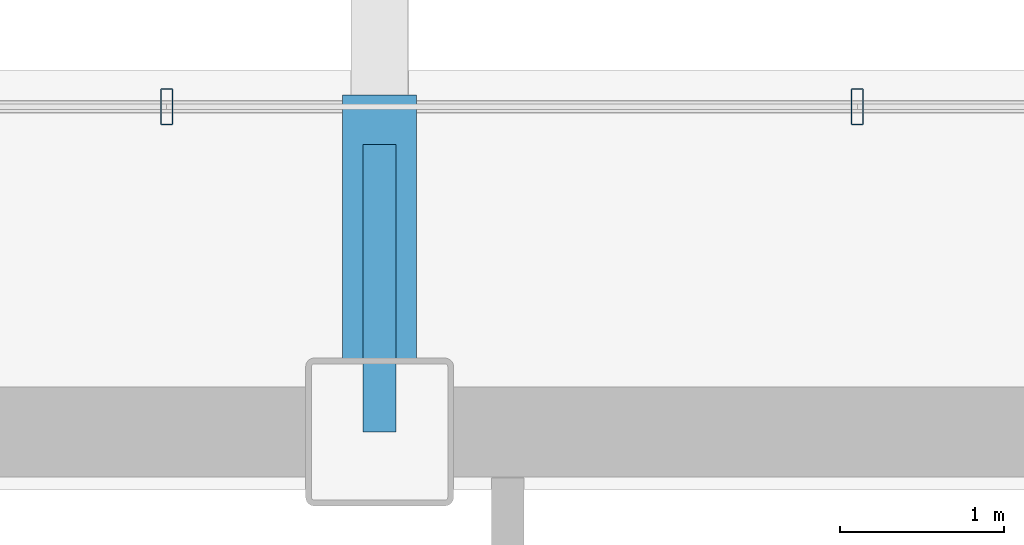
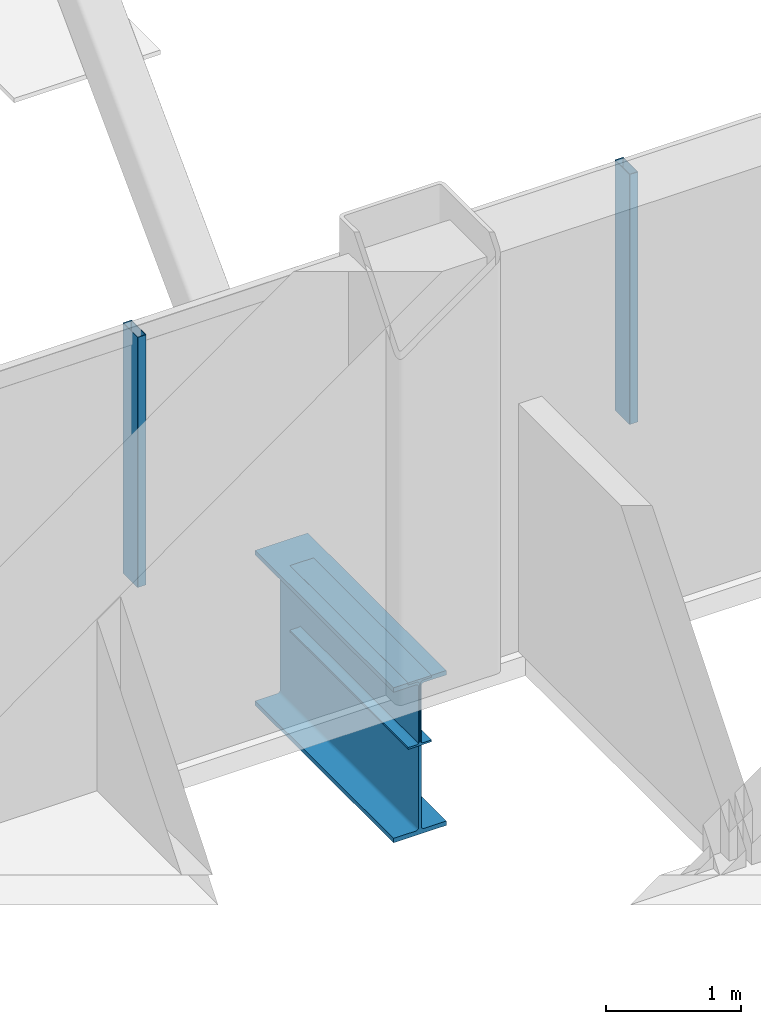
# One storey, part 12 of 22: 2 beams, 2 members, 1 element without a shape of its own.
"""IFC4 building model written with IfcOpenShell, lengths in metres."""

from ifc_helpers import new_model, si_unit, direction, frame, origin, origin_2d, place, context, subcontext, project, spatial, hollow_rectangle, i_section, extrude, material, material_profile, profile_set, type_object, element, aggregate, save


model = new_model("IFC4")

# Units and contexts
model_context = context("Model", 3, precision=1e-05, world=origin(), true_north=direction((0.0, 1.0)))
body_context = subcontext(model_context, "Body", "Model", "MODEL_VIEW")
ifc_project = project(units=[si_unit("LENGTHUNIT", "METRE"), si_unit("AREAUNIT", "SQUARE_METRE"), si_unit("VOLUMEUNIT", "CUBIC_METRE"), si_unit("PLANEANGLEUNIT", "RADIAN"), si_unit("MASSUNIT", "GRAM", prefix="KILO")], contexts=[model_context])

# Site, building, storey
site_placement = place(None, origin())
site = spatial("IfcSite", under=ifc_project, at=site_placement, CompositionType="ELEMENT")
building_placement = place(site_placement, origin())
building = spatial("IfcBuilding", under=site, at=building_placement, Name="Noeulbin Bourse Tower", CompositionType="ELEMENT")
storey_placement = place(building_placement, frame((0.0, 0.0, 138.300048828125)))
storey = spatial("IfcBuildingStorey", under=building, at=storey_placement, Name="L34", CompositionType="ELEMENT", Elevation=138.300048828125)

# Beams
ifc_material_1 = material(Name="Steel S355", Category="steel")
ifc_material_profile_1 = material_profile(ifc_material_1, i_section(OverallWidth=0.199951171875, OverallDepth=0.60009765625, WebThickness=0.010986328125, FlangeThickness=0.01708984375, FilletRadius=0.02197265625, at=origin_2d()), Name="H-600x200x11x17", Category="LoadBearing")
ifc_profile_set_1 = profile_set([ifc_material_profile_1], Name="Steel S355")
beam_type_1 = type_object("IfcBeamType", Name="BM-GRD-600", PredefinedType="USERDEFINED", material=ifc_profile_set_1)
beam_1_placement = place(storey_placement, frame((31.0, 38.300048828125, -0.47998046875), z_axis=(0.0, 1.0, 0.0), x_axis=(-1.0, 0.0, 0.0)))
element("IfcBeam", 1, at=beam_1_placement, inside=storey, type_object=beam_type_1, Name="Tower Primary Girder NS L34-3.4", ObjectType="GIRDER", PredefinedType="USERDEFINED", context=body_context, shape_type="SweptSolid", body=[
    extrude(i_section(OverallWidth=0.199951171875, OverallDepth=0.60009765625, WebThickness=0.010986328125, FlangeThickness=0.01708984375, FilletRadius=0.02197265625, at=origin_2d()), origin(), (0.0, 0.0, 1.0), 1.75),
])
ifc_material_2 = material(Name="Steel S460", Category="steel")
ifc_material_profile_2 = material_profile(ifc_material_2, i_section(OverallWidth=0.449951171875, OverallDepth=1.39990234375, WebThickness=0.02392578125, FlangeThickness=0.0400390625, FilletRadius=0.02392578125, at=origin_2d()), Name="PG-1400x450x24x40", Category="LoadBearing")
ifc_profile_set_2 = profile_set([ifc_material_profile_2], Name="Steel S460")
beam_type_2 = type_object("IfcBeamType", Name="BM-TRF-1400", PredefinedType="USERDEFINED", material=ifc_profile_set_2)
beam_2_placement = place(storey_placement, frame((31.0, 38.300048828125, -0.880126953125), z_axis=(0.0, 1.0, 0.0), x_axis=(-1.0, 0.0, 0.0)))
element("IfcBeam", 2, at=beam_2_placement, inside=storey, type_object=beam_type_2, Name="Transfer Outrigger Corbel L34-04", ObjectType="GIRDER", PredefinedType="USERDEFINED", context=body_context, shape_type="SweptSolid", body=[
    extrude(i_section(OverallWidth=0.449951171875, OverallDepth=1.39990234375, WebThickness=0.02392578125, FlangeThickness=0.0400390625, FilletRadius=0.02392578125, at=origin_2d()), origin(), (0.0, 0.0, 1.0), 2.050048828125),
])

# Curtain wall, members
ifc_material_3 = material(Name="Dark Tinted Triple Glazing", Category="glass")
curtain_wall_type = type_object("IfcCurtainWallType", Name="CW-SYS-3", PredefinedType="NOTDEFINED", material=ifc_material_3)
curtain_wall_placement = place(storey_placement, origin())
curtain_wall = element("IfcCurtainWall", 3, at=curtain_wall_placement, inside=storey, type_object=curtain_wall_type, Name="Unitised Curtain Wall CW-L34-N", PredefinedType="NOTDEFINED")
ifc_material_4 = material(Name="Anodised Aluminium 6063-T6", Category="aluminium")
ifc_material_profile_3 = material_profile(ifc_material_4, hollow_rectangle(XDim=0.074951171875, YDim=0.219970703125, WallThickness=0.0048828125, InnerFilletRadius=0.00244140625, OuterFilletRadius=0.0048828125, at=origin_2d()), Name="ALU-MULL-75x220x5", Category="LoadBearing")
ifc_profile_set_3 = profile_set([ifc_material_profile_3], Name="Anodised Aluminium 6063-T6")
member_type = type_object("IfcMemberType", Name="CW-SYS-3-MUL", PredefinedType="MULLION", material=ifc_profile_set_3)
member_1_placement = place(storey_placement, frame((29.7041015625, 40.280029296875, -0.02001953125), z_axis=(0.0, 0.0, 1.0), x_axis=(1.0, 0.0, 0.0)))
member_1 = element("IfcMember", 4, at=member_1_placement, type_object=member_type, Name="Curtain Wall Mullion CW-L34-N-M06", PredefinedType="MULLION", context=body_context, shape_type="SweptSolid", body=[
    extrude(hollow_rectangle(XDim=0.074951171875, YDim=0.219970703125, WallThickness=0.0048828125, InnerFilletRadius=0.00244140625, OuterFilletRadius=0.0048828125, at=origin_2d()), origin(), (0.0, 0.0, 1.0), 2.260009765625),
])
member_2_placement = place(storey_placement, frame((33.907958984375, 40.280029296875, -0.02001953125), z_axis=(0.0, 0.0, 1.0), x_axis=(1.0, 0.0, 0.0)))
member_2 = element("IfcMember", 5, at=member_2_placement, type_object=member_type, Name="Curtain Wall Mullion CW-L34-N-M07", PredefinedType="MULLION", context=body_context, shape_type="SweptSolid", body=[
    extrude(hollow_rectangle(XDim=0.074951171875, YDim=0.219970703125, WallThickness=0.0048828125, InnerFilletRadius=0.00244140625, OuterFilletRadius=0.0048828125, at=origin_2d()), origin(), (0.0, 0.0, 1.0), 2.260009765625),
])
aggregate(curtain_wall, [member_1, member_2])

save(model, "model.ifc")
